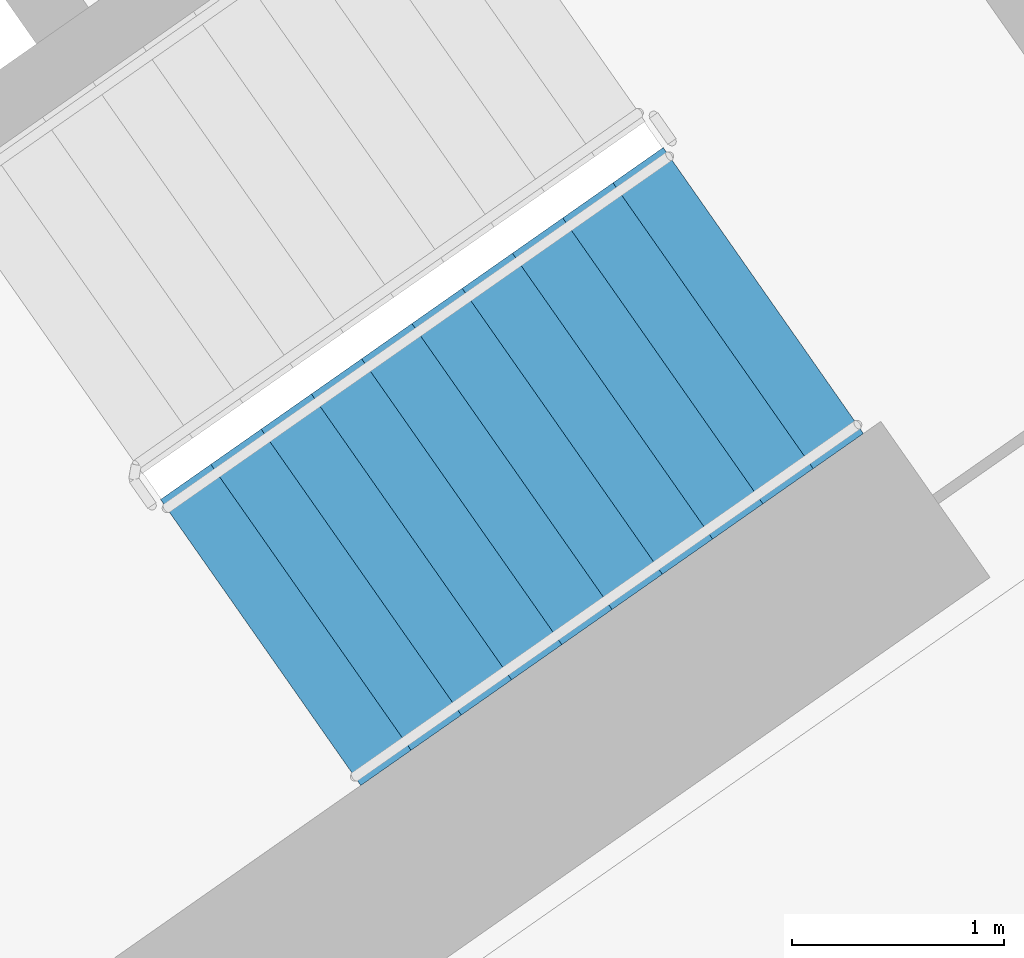
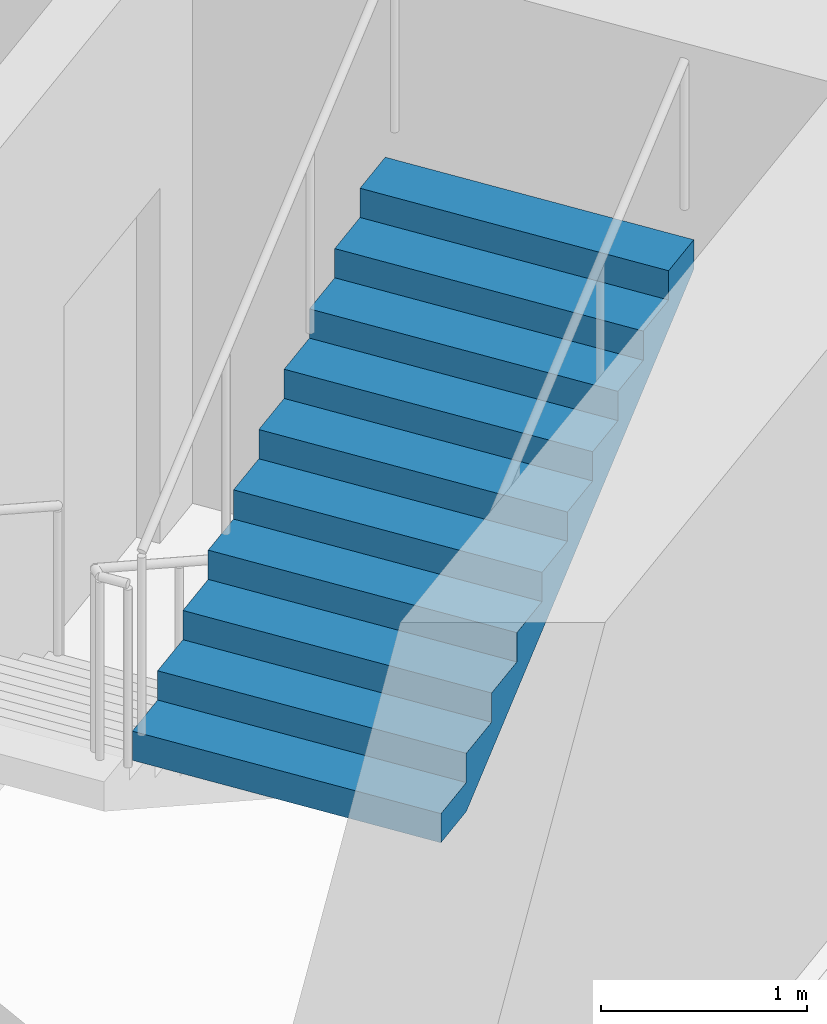
# One storey, part 16 of 32: 1 stair flight, 1 element without a shape of its own.
"""IFC4 building model written with IfcOpenShell, lengths in metres."""

from ifc_helpers import new_model, si_unit, direction, frame, origin, place, context, subcontext, project, spatial, faceted_brep, material, type_object, element, aggregate, save


model = new_model("IFC4")

# Units and contexts
model_context = context("Model", 3, precision=1e-05, world=origin(), true_north=direction((0.0, 1.0)))
body_context = subcontext(model_context, "Body", "Model", "MODEL_VIEW")
ifc_project = project(units=[si_unit("LENGTHUNIT", "METRE"), si_unit("AREAUNIT", "SQUARE_METRE"), si_unit("VOLUMEUNIT", "CUBIC_METRE"), si_unit("PLANEANGLEUNIT", "RADIAN"), si_unit("MASSUNIT", "GRAM", prefix="KILO")], contexts=[model_context])

# Site, building, storey
site_placement = place(None, origin())
site = spatial("IfcSite", under=ifc_project, at=site_placement, CompositionType="ELEMENT")
building_placement = place(site_placement, origin())
building = spatial("IfcBuilding", under=site, at=building_placement, Name="Qamariyya Broadcast Tower", CompositionType="ELEMENT")
storey_placement = place(building_placement, frame((0.0, 0.0, 63.300048828125)))
storey = spatial("IfcBuildingStorey", under=building, at=storey_placement, Name="L12", CompositionType="ELEMENT", Elevation=63.300048828125)

# Stair, stair flight
ifc_material = material(Name="Concrete C50/60", Category="concrete")
stair_type = type_object("IfcStairType", Name="Exit stair 22 risers of 173 mm", PredefinedType="HALF_TURN_STAIR", material=ifc_material)
stair_placement = place(storey_placement, origin())
stair = element("IfcStair", 1, at=stair_placement, inside=storey, type_object=stair_type, Name="L12 Stair E1", PredefinedType="HALF_TURN_STAIR")
stair_flight_type = type_object("IfcStairFlightType", Name="Exit stair flight 11 risers of 173 mm", PredefinedType="STRAIGHT", material=ifc_material)
stair_flight_placement = place(storey_placement, frame((44.693359375, -58.64599609375, 1.89990234375), z_axis=(0.0, 0.0, 1.0), x_axis=(0.819152044289, 0.573576436351, 0.0)))
stair_flight = element("IfcStairFlight", 2, at=stair_flight_placement, type_object=stair_flight_type, Name="ST-E1 flight 2", NumberOfRisers=11, NumberOfTreads=10, PredefinedType="STRAIGHT", RiserHeight=0.172727273, TreadLength=0.29, context=body_context, shape_type="Brep", body=[
    faceted_brep([(0.0, 0.824951171875, 0.0), (0.0, 0.824951171875, 0.172607421875), (0.2900390625, 0.824951171875, 0.172607421875), (0.2900390625, 0.824951171875, 0.345458984375), (0.580078125, 0.824951171875, 0.345458984375), (0.580078125, 0.824951171875, 0.51806640625), (0.8701171875, 0.824951171875, 0.51806640625), (0.8701171875, 0.824951171875, 0.69091796875), (1.159912109375, 0.824951171875, 0.69091796875), (1.159912109375, 0.824951171875, 0.863525390625), (1.449951171875, 0.824951171875, 0.863525390625), (1.449951171875, 0.824951171875, 1.036376953125), (1.739990234375, 0.824951171875, 1.036376953125), (1.739990234375, 0.824951171875, 1.208984375), (2.030029296875, 0.824951171875, 1.208984375), (2.030029296875, 0.824951171875, 1.3818359375), (2.320068359375, 0.824951171875, 1.3818359375), (2.320068359375, 0.824951171875, 1.554443359375), (2.610107421875, 0.824951171875, 1.554443359375), (2.610107421875, 0.824951171875, 1.727294921875), (2.89990234375, 0.824951171875, 1.727294921875), (2.89990234375, 0.824951171875, 1.552734375), (0.29296875, 0.824951171875, 0.0), (0.29296875, -0.824951171875, 0.0), (2.89990234375, -0.824951171875, 1.552734375), (2.89990234375, -0.824951171875, 1.727294921875), (2.610107421875, -0.824951171875, 1.727294921875), (2.610107421875, -0.824951171875, 1.554443359375), (2.320068359375, -0.824951171875, 1.554443359375), (2.320068359375, -0.824951171875, 1.3818359375), (2.030029296875, -0.824951171875, 1.3818359375), (2.030029296875, -0.824951171875, 1.208984375), (1.739990234375, -0.824951171875, 1.208984375), (1.739990234375, -0.824951171875, 1.036376953125), (1.449951171875, -0.824951171875, 1.036376953125), (1.449951171875, -0.824951171875, 0.863525390625), (1.159912109375, -0.824951171875, 0.863525390625), (1.159912109375, -0.824951171875, 0.69091796875), (0.8701171875, -0.824951171875, 0.69091796875), (0.8701171875, -0.824951171875, 0.51806640625), (0.580078125, -0.824951171875, 0.51806640625), (0.580078125, -0.824951171875, 0.345458984375), (0.2900390625, -0.824951171875, 0.345458984375), (0.2900390625, -0.824951171875, 0.172607421875), (0.0, -0.824951171875, 0.172607421875), (0.0, -0.824951171875, 0.0), (0.0, 0.10009765625, 0.0), (0.0, 0.086669921875, 0.0), (0.0, 0.0732421875, 0.0), (0.0, 0.06005859375, 0.0), (0.0, 0.046630859375, 0.0), (0.0, 0.033447265625, 0.0), (0.0, 0.02001953125, 0.0), (0.0, 0.006591796875, 0.0), (0.0, -0.006591796875, 0.0), (0.0, -0.02001953125, 0.0), (0.0, -0.033447265625, 0.0), (0.0, -0.046630859375, 0.0), (0.0, -0.06005859375, 0.0), (0.0, -0.0732421875, 0.0), (0.0, -0.086669921875, 0.0), (0.0, -0.10009765625, 0.0), (0.0, -0.10009765625, 0.172607421875), (0.0, -0.086669921875, 0.172607421875), (0.0, -0.0732421875, 0.172607421875), (0.0, -0.06005859375, 0.172607421875), (0.0, -0.046630859375, 0.172607421875), (0.0, -0.033447265625, 0.172607421875), (0.0, -0.02001953125, 0.172607421875), (0.0, -0.006591796875, 0.172607421875), (0.0, 0.006591796875, 0.172607421875), (0.0, 0.02001953125, 0.172607421875), (0.0, 0.033447265625, 0.172607421875), (0.0, 0.046630859375, 0.172607421875), (0.0, 0.06005859375, 0.172607421875), (0.0, 0.0732421875, 0.172607421875), (0.0, 0.086669921875, 0.172607421875), (0.0, 0.10009765625, 0.172607421875), (0.2900390625, -0.10009765625, 0.172607421875), (0.2900390625, -0.086669921875, 0.172607421875), (0.2900390625, -0.0732421875, 0.172607421875), (0.2900390625, -0.06005859375, 0.172607421875), (0.2900390625, -0.046630859375, 0.172607421875), (0.2900390625, -0.033447265625, 0.172607421875), (0.2900390625, -0.02001953125, 0.172607421875), (0.2900390625, -0.006591796875, 0.172607421875), (0.2900390625, 0.006591796875, 0.172607421875), (0.2900390625, 0.02001953125, 0.172607421875), (0.2900390625, 0.033447265625, 0.172607421875), (0.2900390625, 0.046630859375, 0.172607421875), (0.2900390625, 0.06005859375, 0.172607421875), (0.2900390625, 0.0732421875, 0.172607421875), (0.2900390625, 0.086669921875, 0.172607421875), (0.2900390625, 0.10009765625, 0.172607421875), (0.2900390625, -0.10009765625, 0.345458984375), (0.2900390625, -0.086669921875, 0.345458984375), (0.2900390625, -0.0732421875, 0.345458984375), (0.2900390625, -0.06005859375, 0.345458984375), (0.2900390625, -0.046630859375, 0.345458984375), (0.2900390625, -0.033447265625, 0.345458984375), (0.2900390625, -0.02001953125, 0.345458984375), (0.2900390625, -0.006591796875, 0.345458984375), (0.2900390625, 0.006591796875, 0.345458984375), (0.2900390625, 0.02001953125, 0.345458984375), (0.2900390625, 0.033447265625, 0.345458984375), (0.2900390625, 0.046630859375, 0.345458984375), (0.2900390625, 0.06005859375, 0.345458984375), (0.2900390625, 0.0732421875, 0.345458984375), (0.2900390625, 0.086669921875, 0.345458984375), (0.2900390625, 0.10009765625, 0.345458984375), (0.580078125, -0.10009765625, 0.345458984375), (0.580078125, -0.086669921875, 0.345458984375), (0.580078125, -0.0732421875, 0.345458984375), (0.580078125, -0.06005859375, 0.345458984375), (0.580078125, -0.046630859375, 0.345458984375), (0.580078125, -0.033447265625, 0.345458984375), (0.580078125, -0.02001953125, 0.345458984375), (0.580078125, -0.006591796875, 0.345458984375), (0.580078125, 0.006591796875, 0.345458984375), (0.580078125, 0.02001953125, 0.345458984375), (0.580078125, 0.033447265625, 0.345458984375), (0.580078125, 0.046630859375, 0.345458984375), (0.580078125, 0.06005859375, 0.345458984375), (0.580078125, 0.0732421875, 0.345458984375), (0.580078125, 0.086669921875, 0.345458984375), (0.580078125, 0.10009765625, 0.345458984375), (0.580078125, -0.10009765625, 0.51806640625), (0.580078125, -0.086669921875, 0.51806640625), (0.580078125, -0.0732421875, 0.51806640625), (0.580078125, -0.06005859375, 0.51806640625), (0.580078125, -0.046630859375, 0.51806640625), (0.580078125, -0.033447265625, 0.51806640625), (0.580078125, -0.02001953125, 0.51806640625), (0.580078125, -0.006591796875, 0.51806640625), (0.580078125, 0.006591796875, 0.51806640625), (0.580078125, 0.02001953125, 0.51806640625), (0.580078125, 0.033447265625, 0.51806640625), (0.580078125, 0.046630859375, 0.51806640625), (0.580078125, 0.06005859375, 0.51806640625), (0.580078125, 0.0732421875, 0.51806640625), (0.580078125, 0.086669921875, 0.51806640625), (0.580078125, 0.10009765625, 0.51806640625), (0.8701171875, -0.10009765625, 0.51806640625), (0.8701171875, -0.086669921875, 0.51806640625), (0.8701171875, -0.0732421875, 0.51806640625), (0.8701171875, -0.06005859375, 0.51806640625), (0.8701171875, -0.046630859375, 0.51806640625), (0.8701171875, -0.033447265625, 0.51806640625), (0.8701171875, -0.02001953125, 0.51806640625), (0.8701171875, -0.006591796875, 0.51806640625), (0.8701171875, 0.006591796875, 0.51806640625), (0.8701171875, 0.02001953125, 0.51806640625), (0.8701171875, 0.033447265625, 0.51806640625), (0.8701171875, 0.046630859375, 0.51806640625), (0.8701171875, 0.06005859375, 0.51806640625), (0.8701171875, 0.0732421875, 0.51806640625), (0.8701171875, 0.086669921875, 0.51806640625), (0.8701171875, 0.10009765625, 0.51806640625), (0.8701171875, -0.10009765625, 0.69091796875), (0.8701171875, -0.086669921875, 0.69091796875), (0.8701171875, -0.0732421875, 0.69091796875), (0.8701171875, -0.06005859375, 0.69091796875), (0.8701171875, -0.046630859375, 0.69091796875), (0.8701171875, -0.033447265625, 0.69091796875), (0.8701171875, -0.02001953125, 0.69091796875), (0.8701171875, -0.006591796875, 0.69091796875), (0.8701171875, 0.006591796875, 0.69091796875), (0.8701171875, 0.02001953125, 0.69091796875), (0.8701171875, 0.033447265625, 0.69091796875), (0.8701171875, 0.046630859375, 0.69091796875), (0.8701171875, 0.06005859375, 0.69091796875), (0.8701171875, 0.0732421875, 0.69091796875), (0.8701171875, 0.086669921875, 0.69091796875), (0.8701171875, 0.10009765625, 0.69091796875), (1.159912109375, -0.10009765625, 0.69091796875), (1.159912109375, -0.086669921875, 0.69091796875), (1.159912109375, -0.0732421875, 0.69091796875), (1.159912109375, -0.06005859375, 0.69091796875), (1.159912109375, -0.046630859375, 0.69091796875), (1.159912109375, -0.033447265625, 0.69091796875), (1.159912109375, -0.02001953125, 0.69091796875), (1.159912109375, -0.006591796875, 0.69091796875), (1.159912109375, 0.006591796875, 0.69091796875), (1.159912109375, 0.02001953125, 0.69091796875), (1.159912109375, 0.033447265625, 0.69091796875), (1.159912109375, 0.046630859375, 0.69091796875), (1.159912109375, 0.06005859375, 0.69091796875), (1.159912109375, 0.0732421875, 0.69091796875), (1.159912109375, 0.086669921875, 0.69091796875), (1.159912109375, 0.10009765625, 0.69091796875), (1.159912109375, -0.10009765625, 0.863525390625), (1.159912109375, -0.086669921875, 0.863525390625), (1.159912109375, -0.0732421875, 0.863525390625), (1.159912109375, -0.06005859375, 0.863525390625), (1.159912109375, -0.046630859375, 0.863525390625), (1.159912109375, -0.033447265625, 0.863525390625), (1.159912109375, -0.02001953125, 0.863525390625), (1.159912109375, -0.006591796875, 0.863525390625), (1.159912109375, 0.006591796875, 0.863525390625), (1.159912109375, 0.02001953125, 0.863525390625), (1.159912109375, 0.033447265625, 0.863525390625), (1.159912109375, 0.046630859375, 0.863525390625), (1.159912109375, 0.06005859375, 0.863525390625), (1.159912109375, 0.0732421875, 0.863525390625), (1.159912109375, 0.086669921875, 0.863525390625), (1.159912109375, 0.10009765625, 0.863525390625), (1.449951171875, -0.10009765625, 0.863525390625), (1.449951171875, -0.086669921875, 0.863525390625), (1.449951171875, -0.0732421875, 0.863525390625), (1.449951171875, -0.06005859375, 0.863525390625), (1.449951171875, -0.046630859375, 0.863525390625), (1.449951171875, -0.033447265625, 0.863525390625), (1.449951171875, -0.02001953125, 0.863525390625), (1.449951171875, -0.006591796875, 0.863525390625), (1.449951171875, 0.006591796875, 0.863525390625), (1.449951171875, 0.02001953125, 0.863525390625), (1.449951171875, 0.033447265625, 0.863525390625), (1.449951171875, 0.046630859375, 0.863525390625), (1.449951171875, 0.06005859375, 0.863525390625), (1.449951171875, 0.0732421875, 0.863525390625), (1.449951171875, 0.086669921875, 0.863525390625), (1.449951171875, 0.10009765625, 0.863525390625), (1.449951171875, -0.10009765625, 1.036376953125), (1.449951171875, -0.086669921875, 1.036376953125), (1.449951171875, -0.0732421875, 1.036376953125), (1.449951171875, -0.06005859375, 1.036376953125), (1.449951171875, -0.046630859375, 1.036376953125), (1.449951171875, -0.033447265625, 1.036376953125), (1.449951171875, -0.02001953125, 1.036376953125), (1.449951171875, -0.006591796875, 1.036376953125), (1.449951171875, 0.006591796875, 1.036376953125), (1.449951171875, 0.02001953125, 1.036376953125), (1.449951171875, 0.033447265625, 1.036376953125), (1.449951171875, 0.046630859375, 1.036376953125), (1.449951171875, 0.06005859375, 1.036376953125), (1.449951171875, 0.0732421875, 1.036376953125), (1.449951171875, 0.086669921875, 1.036376953125), (1.449951171875, 0.10009765625, 1.036376953125), (1.739990234375, -0.10009765625, 1.036376953125), (1.739990234375, -0.086669921875, 1.036376953125), (1.739990234375, -0.0732421875, 1.036376953125), (1.739990234375, -0.06005859375, 1.036376953125), (1.739990234375, -0.046630859375, 1.036376953125), (1.739990234375, -0.033447265625, 1.036376953125), (1.739990234375, -0.02001953125, 1.036376953125), (1.739990234375, -0.006591796875, 1.036376953125), (1.739990234375, 0.006591796875, 1.036376953125), (1.739990234375, 0.02001953125, 1.036376953125), (1.739990234375, 0.033447265625, 1.036376953125), (1.739990234375, 0.046630859375, 1.036376953125), (1.739990234375, 0.06005859375, 1.036376953125), (1.739990234375, 0.0732421875, 1.036376953125), (1.739990234375, 0.086669921875, 1.036376953125), (1.739990234375, 0.10009765625, 1.036376953125), (1.739990234375, -0.10009765625, 1.208984375), (1.739990234375, -0.086669921875, 1.208984375), (1.739990234375, -0.0732421875, 1.208984375), (1.739990234375, -0.06005859375, 1.208984375), (1.739990234375, -0.046630859375, 1.208984375), (1.739990234375, -0.033447265625, 1.208984375), (1.739990234375, -0.02001953125, 1.208984375), (1.739990234375, -0.006591796875, 1.208984375), (1.739990234375, 0.006591796875, 1.208984375), (1.739990234375, 0.02001953125, 1.208984375), (1.739990234375, 0.033447265625, 1.208984375), (1.739990234375, 0.046630859375, 1.208984375), (1.739990234375, 0.06005859375, 1.208984375), (1.739990234375, 0.0732421875, 1.208984375), (1.739990234375, 0.086669921875, 1.208984375), (1.739990234375, 0.10009765625, 1.208984375), (2.030029296875, -0.10009765625, 1.208984375), (2.030029296875, -0.086669921875, 1.208984375), (2.030029296875, -0.0732421875, 1.208984375), (2.030029296875, -0.06005859375, 1.208984375), (2.030029296875, -0.046630859375, 1.208984375), (2.030029296875, -0.033447265625, 1.208984375), (2.030029296875, -0.02001953125, 1.208984375), (2.030029296875, -0.006591796875, 1.208984375), (2.030029296875, 0.006591796875, 1.208984375), (2.030029296875, 0.02001953125, 1.208984375), (2.030029296875, 0.033447265625, 1.208984375), (2.030029296875, 0.046630859375, 1.208984375), (2.030029296875, 0.06005859375, 1.208984375), (2.030029296875, 0.0732421875, 1.208984375), (2.030029296875, 0.086669921875, 1.208984375), (2.030029296875, 0.10009765625, 1.208984375), (2.030029296875, -0.10009765625, 1.3818359375), (2.030029296875, -0.086669921875, 1.3818359375), (2.030029296875, -0.0732421875, 1.3818359375), (2.030029296875, -0.06005859375, 1.3818359375), (2.030029296875, -0.046630859375, 1.3818359375), (2.030029296875, -0.033447265625, 1.3818359375), (2.030029296875, -0.02001953125, 1.3818359375), (2.030029296875, -0.006591796875, 1.3818359375), (2.030029296875, 0.006591796875, 1.3818359375), (2.030029296875, 0.02001953125, 1.3818359375), (2.030029296875, 0.033447265625, 1.3818359375), (2.030029296875, 0.046630859375, 1.3818359375), (2.030029296875, 0.06005859375, 1.3818359375), (2.030029296875, 0.0732421875, 1.3818359375), (2.030029296875, 0.086669921875, 1.3818359375), (2.030029296875, 0.10009765625, 1.3818359375), (2.320068359375, -0.10009765625, 1.3818359375), (2.320068359375, -0.086669921875, 1.3818359375), (2.320068359375, -0.0732421875, 1.3818359375), (2.320068359375, -0.06005859375, 1.3818359375), (2.320068359375, -0.046630859375, 1.3818359375), (2.320068359375, -0.033447265625, 1.3818359375), (2.320068359375, -0.02001953125, 1.3818359375), (2.320068359375, -0.006591796875, 1.3818359375), (2.320068359375, 0.006591796875, 1.3818359375), (2.320068359375, 0.02001953125, 1.3818359375), (2.320068359375, 0.033447265625, 1.3818359375), (2.320068359375, 0.046630859375, 1.3818359375), (2.320068359375, 0.06005859375, 1.3818359375), (2.320068359375, 0.0732421875, 1.3818359375), (2.320068359375, 0.086669921875, 1.3818359375), (2.320068359375, 0.10009765625, 1.3818359375), (2.320068359375, -0.10009765625, 1.554443359375), (2.320068359375, -0.086669921875, 1.554443359375), (2.320068359375, -0.0732421875, 1.554443359375), (2.320068359375, -0.06005859375, 1.554443359375), (2.320068359375, -0.046630859375, 1.554443359375), (2.320068359375, -0.033447265625, 1.554443359375), (2.320068359375, -0.02001953125, 1.554443359375), (2.320068359375, -0.006591796875, 1.554443359375), (2.320068359375, 0.006591796875, 1.554443359375), (2.320068359375, 0.02001953125, 1.554443359375), (2.320068359375, 0.033447265625, 1.554443359375), (2.320068359375, 0.046630859375, 1.554443359375), (2.320068359375, 0.06005859375, 1.554443359375), (2.320068359375, 0.0732421875, 1.554443359375), (2.320068359375, 0.086669921875, 1.554443359375), (2.320068359375, 0.10009765625, 1.554443359375), (2.610107421875, -0.10009765625, 1.554443359375), (2.610107421875, -0.086669921875, 1.554443359375), (2.610107421875, -0.0732421875, 1.554443359375), (2.610107421875, -0.06005859375, 1.554443359375), (2.610107421875, -0.046630859375, 1.554443359375), (2.610107421875, -0.033447265625, 1.554443359375), (2.610107421875, -0.02001953125, 1.554443359375), (2.610107421875, -0.006591796875, 1.554443359375), (2.610107421875, 0.006591796875, 1.554443359375), (2.610107421875, 0.02001953125, 1.554443359375), (2.610107421875, 0.033447265625, 1.554443359375), (2.610107421875, 0.046630859375, 1.554443359375), (2.610107421875, 0.06005859375, 1.554443359375), (2.610107421875, 0.0732421875, 1.554443359375), (2.610107421875, 0.086669921875, 1.554443359375), (2.610107421875, 0.10009765625, 1.554443359375), (2.610107421875, -0.10009765625, 1.727294921875), (2.610107421875, -0.086669921875, 1.727294921875), (2.610107421875, -0.0732421875, 1.727294921875), (2.610107421875, -0.06005859375, 1.727294921875), (2.610107421875, -0.046630859375, 1.727294921875), (2.610107421875, -0.033447265625, 1.727294921875), (2.610107421875, -0.02001953125, 1.727294921875), (2.610107421875, -0.006591796875, 1.727294921875), (2.610107421875, 0.006591796875, 1.727294921875), (2.610107421875, 0.02001953125, 1.727294921875), (2.610107421875, 0.033447265625, 1.727294921875), (2.610107421875, 0.046630859375, 1.727294921875), (2.610107421875, 0.06005859375, 1.727294921875), (2.610107421875, 0.0732421875, 1.727294921875), (2.610107421875, 0.086669921875, 1.727294921875), (2.610107421875, 0.10009765625, 1.727294921875), (2.89990234375, -0.10009765625, 1.727294921875), (2.89990234375, -0.086669921875, 1.727294921875), (2.89990234375, -0.0732421875, 1.727294921875), (2.89990234375, -0.06005859375, 1.727294921875), (2.89990234375, -0.046630859375, 1.727294921875), (2.89990234375, -0.033447265625, 1.727294921875), (2.89990234375, -0.02001953125, 1.727294921875), (2.89990234375, -0.006591796875, 1.727294921875), (2.89990234375, 0.006591796875, 1.727294921875), (2.89990234375, 0.02001953125, 1.727294921875), (2.89990234375, 0.033447265625, 1.727294921875), (2.89990234375, 0.046630859375, 1.727294921875), (2.89990234375, 0.06005859375, 1.727294921875), (2.89990234375, 0.0732421875, 1.727294921875), (2.89990234375, 0.086669921875, 1.727294921875), (2.89990234375, 0.10009765625, 1.727294921875), (2.89990234375, -0.10009765625, 1.552734375), (2.89990234375, -0.086669921875, 1.552734375), (2.89990234375, -0.0732421875, 1.552734375), (2.89990234375, -0.06005859375, 1.552734375), (2.89990234375, -0.046630859375, 1.552734375), (2.89990234375, -0.033447265625, 1.552734375), (2.89990234375, -0.02001953125, 1.552734375), (2.89990234375, -0.006591796875, 1.552734375), (2.89990234375, 0.006591796875, 1.552734375), (2.89990234375, 0.02001953125, 1.552734375), (2.89990234375, 0.033447265625, 1.552734375), (2.89990234375, 0.046630859375, 1.552734375), (2.89990234375, 0.06005859375, 1.552734375), (2.89990234375, 0.0732421875, 1.552734375), (2.89990234375, 0.086669921875, 1.552734375), (2.89990234375, 0.10009765625, 1.552734375), (0.29296875, -0.10009765625, 0.0), (0.29296875, -0.086669921875, 0.0), (0.29296875, -0.0732421875, 0.0), (0.29296875, -0.06005859375, 0.0), (0.29296875, -0.046630859375, 0.0), (0.29296875, -0.033447265625, 0.0), (0.29296875, -0.02001953125, 0.0), (0.29296875, -0.006591796875, 0.0), (0.29296875, 0.006591796875, 0.0), (0.29296875, 0.02001953125, 0.0), (0.29296875, 0.033447265625, 0.0), (0.29296875, 0.046630859375, 0.0), (0.29296875, 0.06005859375, 0.0), (0.29296875, 0.0732421875, 0.0), (0.29296875, 0.086669921875, 0.0), (0.29296875, 0.10009765625, 0.0)], [[[0, 1, 2, 3, 4, 5, 6, 7, 8, 9, 10, 11, 12, 13, 14, 15, 16, 17, 18, 19, 20, 21, 22]], [[23, 24, 25, 26, 27, 28, 29, 30, 31, 32, 33, 34, 35, 36, 37, 38, 39, 40, 41, 42, 43, 44, 45]], [[0, 46, 47, 48, 49, 50, 51, 52, 53, 54, 55, 56, 57, 58, 59, 60, 61, 45, 44, 62, 63, 64, 65, 66, 67, 68, 69, 70, 71, 72, 73, 74, 75, 76, 77, 1]], [[1, 77, 76, 75, 74, 73, 72, 71, 70, 69, 68, 67, 66, 65, 64, 63, 62, 44, 43, 78, 79, 80, 81, 82, 83, 84, 85, 86, 87, 88, 89, 90, 91, 92, 93, 2]], [[2, 93, 92, 91, 90, 89, 88, 87, 86, 85, 84, 83, 82, 81, 80, 79, 78, 43, 42, 94, 95, 96, 97, 98, 99, 100, 101, 102, 103, 104, 105, 106, 107, 108, 109, 3]], [[3, 109, 108, 107, 106, 105, 104, 103, 102, 101, 100, 99, 98, 97, 96, 95, 94, 42, 41, 110, 111, 112, 113, 114, 115, 116, 117, 118, 119, 120, 121, 122, 123, 124, 125, 4]], [[4, 125, 124, 123, 122, 121, 120, 119, 118, 117, 116, 115, 114, 113, 112, 111, 110, 41, 40, 126, 127, 128, 129, 130, 131, 132, 133, 134, 135, 136, 137, 138, 139, 140, 141, 5]], [[5, 141, 140, 139, 138, 137, 136, 135, 134, 133, 132, 131, 130, 129, 128, 127, 126, 40, 39, 142, 143, 144, 145, 146, 147, 148, 149, 150, 151, 152, 153, 154, 155, 156, 157, 6]], [[6, 157, 156, 155, 154, 153, 152, 151, 150, 149, 148, 147, 146, 145, 144, 143, 142, 39, 38, 158, 159, 160, 161, 162, 163, 164, 165, 166, 167, 168, 169, 170, 171, 172, 173, 7]], [[7, 173, 172, 171, 170, 169, 168, 167, 166, 165, 164, 163, 162, 161, 160, 159, 158, 38, 37, 174, 175, 176, 177, 178, 179, 180, 181, 182, 183, 184, 185, 186, 187, 188, 189, 8]], [[8, 189, 188, 187, 186, 185, 184, 183, 182, 181, 180, 179, 178, 177, 176, 175, 174, 37, 36, 190, 191, 192, 193, 194, 195, 196, 197, 198, 199, 200, 201, 202, 203, 204, 205, 9]], [[9, 205, 204, 203, 202, 201, 200, 199, 198, 197, 196, 195, 194, 193, 192, 191, 190, 36, 35, 206, 207, 208, 209, 210, 211, 212, 213, 214, 215, 216, 217, 218, 219, 220, 221, 10]], [[10, 221, 220, 219, 218, 217, 216, 215, 214, 213, 212, 211, 210, 209, 208, 207, 206, 35, 34, 222, 223, 224, 225, 226, 227, 228, 229, 230, 231, 232, 233, 234, 235, 236, 237, 11]], [[11, 237, 236, 235, 234, 233, 232, 231, 230, 229, 228, 227, 226, 225, 224, 223, 222, 34, 33, 238, 239, 240, 241, 242, 243, 244, 245, 246, 247, 248, 249, 250, 251, 252, 253, 12]], [[12, 253, 252, 251, 250, 249, 248, 247, 246, 245, 244, 243, 242, 241, 240, 239, 238, 33, 32, 254, 255, 256, 257, 258, 259, 260, 261, 262, 263, 264, 265, 266, 267, 268, 269, 13]], [[13, 269, 268, 267, 266, 265, 264, 263, 262, 261, 260, 259, 258, 257, 256, 255, 254, 32, 31, 270, 271, 272, 273, 274, 275, 276, 277, 278, 279, 280, 281, 282, 283, 284, 285, 14]], [[14, 285, 284, 283, 282, 281, 280, 279, 278, 277, 276, 275, 274, 273, 272, 271, 270, 31, 30, 286, 287, 288, 289, 290, 291, 292, 293, 294, 295, 296, 297, 298, 299, 300, 301, 15]], [[15, 301, 300, 299, 298, 297, 296, 295, 294, 293, 292, 291, 290, 289, 288, 287, 286, 30, 29, 302, 303, 304, 305, 306, 307, 308, 309, 310, 311, 312, 313, 314, 315, 316, 317, 16]], [[16, 317, 316, 315, 314, 313, 312, 311, 310, 309, 308, 307, 306, 305, 304, 303, 302, 29, 28, 318, 319, 320, 321, 322, 323, 324, 325, 326, 327, 328, 329, 330, 331, 332, 333, 17]], [[17, 333, 332, 331, 330, 329, 328, 327, 326, 325, 324, 323, 322, 321, 320, 319, 318, 28, 27, 334, 335, 336, 337, 338, 339, 340, 341, 342, 343, 344, 345, 346, 347, 348, 349, 18]], [[18, 349, 348, 347, 346, 345, 344, 343, 342, 341, 340, 339, 338, 337, 336, 335, 334, 27, 26, 350, 351, 352, 353, 354, 355, 356, 357, 358, 359, 360, 361, 362, 363, 364, 365, 19]], [[19, 365, 364, 363, 362, 361, 360, 359, 358, 357, 356, 355, 354, 353, 352, 351, 350, 26, 25, 366, 367, 368, 369, 370, 371, 372, 373, 374, 375, 376, 377, 378, 379, 380, 381, 20]], [[20, 381, 380, 379, 378, 377, 376, 375, 374, 373, 372, 371, 370, 369, 368, 367, 366, 25, 24, 382, 383, 384, 385, 386, 387, 388, 389, 390, 391, 392, 393, 394, 395, 396, 397, 21]], [[21, 397, 396, 395, 394, 393, 392, 391, 390, 389, 388, 387, 386, 385, 384, 383, 382, 24, 23, 398, 399, 400, 401, 402, 403, 404, 405, 406, 407, 408, 409, 410, 411, 412, 413, 22]], [[22, 413, 412, 411, 410, 409, 408, 407, 406, 405, 404, 403, 402, 401, 400, 399, 398, 23, 45, 61, 60, 59, 58, 57, 56, 55, 54, 53, 52, 51, 50, 49, 48, 47, 46, 0]]]),
])
aggregate(stair, [stair_flight])

save(model, "model.ifc")
